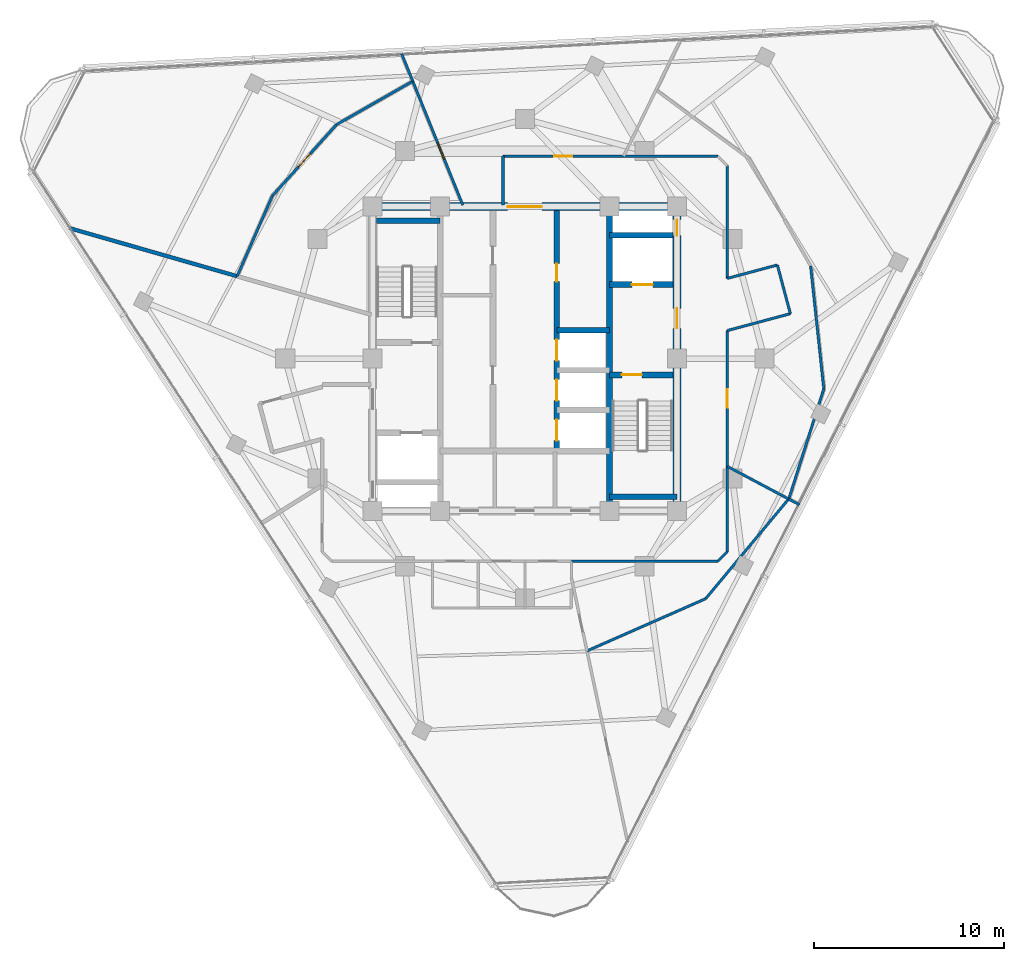
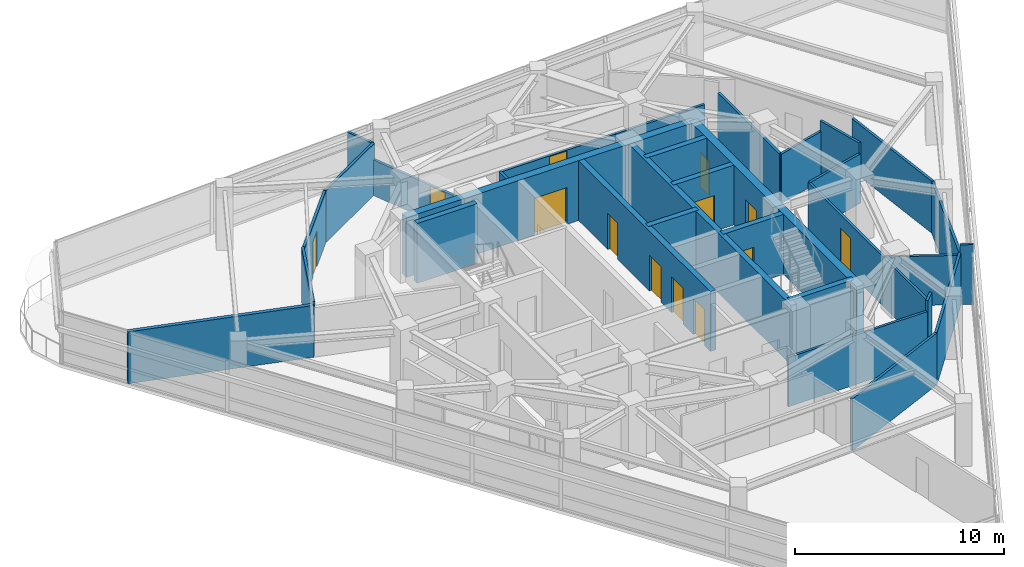
# One storey, part 9 of 15: 33 walls, 13 doors, 13 openings.
"""IFC4 building model written with IfcOpenShell, lengths in metres."""

from ifc_helpers import new_model, si_unit, direction, frame, frame_2d, origin, place, context, subcontext, project, spatial, rectangle, extrude, material, layer, layer_set, type_object, element, fill, save


model = new_model("IFC4")

# Units and contexts
model_context = context("Model", 3, precision=1e-05, world=origin(), true_north=direction((0.0, 1.0)))
body_context = subcontext(model_context, "Body", "Model", "MODEL_VIEW")
ifc_project = project(units=[si_unit("LENGTHUNIT", "METRE"), si_unit("AREAUNIT", "SQUARE_METRE"), si_unit("VOLUMEUNIT", "CUBIC_METRE"), si_unit("PLANEANGLEUNIT", "RADIAN"), si_unit("MASSUNIT", "GRAM", prefix="KILO")], contexts=[model_context])

# Site, building, storey
site_placement = place(None, origin())
site = spatial("IfcSite", under=ifc_project, at=site_placement, CompositionType="ELEMENT")
building_placement = place(site_placement, origin())
building = spatial("IfcBuilding", under=site, at=building_placement, Name="Terralouvre Media Tower", CompositionType="ELEMENT")
storey_placement = place(building_placement, frame((0.0, 0.0, 267.0)))
storey = spatial("IfcBuildingStorey", under=building, at=storey_placement, Name="L69", CompositionType="ELEMENT", Elevation=267.0)

# Walls
ifc_material_1 = material(Name="Concrete C50/60", Category="concrete")
ifc_layer_1 = layer(ifc_material_1, 0.300048828125, Name="Core Internal Shaft Wall CW-300")
ifc_layer_set_1 = layer_set([ifc_layer_1], Name="Concrete C50/60")
wall_type_1 = type_object("IfcWallType", Name="Core Internal Shaft Wall CW-300", PredefinedType="SHEAR", material=ifc_layer_set_1)
wall_1_placement = place(storey_placement, frame((4.449951171875, -7.7900390625, 0.0), z_axis=(0.0, 0.0, 1.0), x_axis=(0.0, 1.0, 0.0)))
element("IfcWall", 1, at=wall_1_placement, inside=storey, type_object=wall_type_1, Name="L69 Core Shaft Wall SPE", PredefinedType="SHEAR", context=body_context, shape_type="SweptSolid", body=[
    extrude(rectangle(XDim=15.580078125, YDim=0.300048828125, at=frame_2d((7.7900390625, 0.0))), origin(), (0.0, 0.0, 1.0), 3.5),
])
wall_2_placement = place(storey_placement, frame((-7.7900390625, 7.260009765625, 0.0), z_axis=(0.0, 0.0, 1.0), x_axis=(1.0, 0.0, 0.0)))
element("IfcWall", 2, at=wall_2_placement, inside=storey, type_object=wall_type_1, Name="L69 Core Shaft Wall ST1F", PredefinedType="SHEAR", context=body_context, shape_type="SweptSolid", body=[
    extrude(rectangle(XDim=3.340087890625, YDim=0.300048828125, at=frame_2d((1.669921875, 0.0))), origin(), (0.0, 0.0, 1.0), 3.5),
])

# Wall, opening, door
wall_3_placement = place(storey_placement, frame((4.449951171875, -0.85009765625, 0.0), z_axis=(0.0, 0.0, 1.0), x_axis=(1.0, 0.0, 0.0)))
wall_3 = element("IfcWall", 3, at=wall_3_placement, inside=storey, type_object=wall_type_1, Name="L69 Core Shaft Wall ST2D", PredefinedType="SHEAR", context=body_context, shape_type="SweptSolid", body=[
    extrude(rectangle(XDim=3.340087890625, YDim=0.300048828125, at=frame_2d((1.669921875, 0.0))), origin(), (0.0, 0.0, 1.0), 3.5),
])
opening_1_placement = place(wall_3_placement, frame((0.64990234375, 0.0, 0.0)))
opening_1 = element("IfcOpeningElement", 4, at=opening_1_placement, cuts=wall_3, Name="Opening FD-01-105X215", PredefinedType="OPENING", context=body_context, shape_type="SweptSolid", body=[
    extrude(rectangle(XDim=1.050048828125, YDim=2.14990234375, at=frame_2d((0.52490234375, 1.074951171875))), frame((0.0, 0.159912109375, 0.0), z_axis=(0.0, -1.0, 0.0), x_axis=(1.0, 0.0, 0.0)), (0.0, 0.0, 1.0), 0.320068359375),
])
ifc_material_2 = material(Name="Galvanised steel fire-resisting leaf", Category="steel")
door_type_1 = type_object("IfcDoorType", Name="Stair and Firefighting Lobby Fire Door FD-01 (1050x2150)", OperationType="NOTDEFINED", PredefinedType="DOOR", material=ifc_material_2)
door_1_placement = place(opening_1_placement, origin())
door_1 = element("IfcDoor", 5, at=door_1_placement, inside=storey, type_object=door_type_1, Name="L69 ST-02 Exit Stair Door", OperationType="SINGLE_SWING_RIGHT", OverallHeight=2.14990234375, OverallWidth=1.050048828125, PredefinedType="DOOR", context=body_context, shape_type="SweptSolid", body=[
    extrude(rectangle(XDim=1.050048828125, YDim=2.14990234375, at=frame_2d((0.52490234375, 1.074951171875))), frame((0.0, 0.02490234375, 0.0), z_axis=(0.0, -1.0, 0.0), x_axis=(1.0, 0.0, 0.0)), (0.0, 0.0, 1.0), 0.050048828125),
])
fill(opening_1, door_1)

# Wall
wall_4_placement = place(storey_placement, frame((4.449951171875, -7.260009765625, 0.0), z_axis=(0.0, 0.0, 1.0), x_axis=(1.0, 0.0, 0.0)))
element("IfcWall", 6, at=wall_4_placement, inside=storey, type_object=wall_type_1, Name="L69 Core Shaft Wall ST2F", PredefinedType="SHEAR", context=body_context, shape_type="SweptSolid", body=[
    extrude(rectangle(XDim=3.550048828125, YDim=0.300048828125, at=frame_2d((1.77490234375, 0.0))), origin(), (0.0, 0.0, 1.0), 3.5),
])

# Wall, opening, door
wall_5_placement = place(storey_placement, frame((4.449951171875, 3.89990234375, 0.0), z_axis=(0.0, 0.0, 1.0), x_axis=(1.0, 0.0, 0.0)))
wall_5 = element("IfcWall", 7, at=wall_5_placement, inside=storey, type_object=wall_type_1, Name="L69 Core Shaft Wall FF2S", PredefinedType="SHEAR", context=body_context, shape_type="SweptSolid", body=[
    extrude(rectangle(XDim=3.340087890625, YDim=0.300048828125, at=frame_2d((1.669921875, 0.0))), origin(), (0.0, 0.0, 1.0), 3.5),
])
opening_2_placement = place(wall_5_placement, frame((1.179931640625, 0.0, 0.0)))
opening_2 = element("IfcOpeningElement", 8, at=opening_2_placement, cuts=wall_5, Name="Opening LD-FF", PredefinedType="OPENING", context=body_context, shape_type="SweptSolid", body=[
    extrude(rectangle(XDim=1.10009765625, YDim=2.10009765625, at=frame_2d((0.550048828125, 1.050048828125))), frame((0.0, 0.159912109375, 0.0), z_axis=(0.0, -1.0, 0.0), x_axis=(1.0, 0.0, 0.0)), (0.0, 0.0, 1.0), 0.320068359375),
])
ifc_material_3 = material(Name="Stainless steel 316 handrail and balustrade", Category="steel")
door_type_2 = type_object("IfcDoorType", Name="Firefighting Lift Sliding Landing Door LD-FF", OperationType="SLIDING_TO_LEFT", PredefinedType="DOOR", material=ifc_material_3)
door_2_placement = place(opening_2_placement, origin())
door_2 = element("IfcDoor", 9, at=door_2_placement, inside=storey, type_object=door_type_2, Name="L69 Firefighting Lift FFL-02 Landing Door", OperationType="SLIDING_TO_LEFT", OverallHeight=2.10009765625, OverallWidth=1.10009765625, PredefinedType="DOOR", context=body_context, shape_type="SweptSolid", body=[
    extrude(rectangle(XDim=1.10009765625, YDim=2.10009765625, at=frame_2d((0.550048828125, 1.050048828125))), frame((0.0, 0.02490234375, 0.0), z_axis=(0.0, -1.0, 0.0), x_axis=(1.0, 0.0, 0.0)), (0.0, 0.0, 1.0), 0.050048828125),
])
fill(opening_2, door_2)

# Wall
wall_6_placement = place(storey_placement, frame((4.449951171875, 6.5, 0.0), z_axis=(0.0, 0.0, 1.0), x_axis=(1.0, 0.0, 0.0)))
element("IfcWall", 10, at=wall_6_placement, inside=storey, type_object=wall_type_1, Name="L69 Core Shaft Wall FF2N", PredefinedType="SHEAR", context=body_context, shape_type="SweptSolid", body=[
    extrude(rectangle(XDim=3.340087890625, YDim=0.300048828125, at=frame_2d((1.669921875, 0.0))), origin(), (0.0, 0.0, 1.0), 3.5),
])

# Wall, openings, doors
wall_7_placement = place(storey_placement, frame((1.679931640625, -4.85009765625, 0.0), z_axis=(0.0, 0.0, 1.0), x_axis=(0.0, 1.0, 0.0)))
wall_7 = element("IfcWall", 11, at=wall_7_placement, inside=storey, type_object=wall_type_1, Name="L69 Core Shaft Wall LBE", PredefinedType="SHEAR", context=body_context, shape_type="SweptSolid", body=[
    extrude(rectangle(XDim=12.64013671875, YDim=0.300048828125, at=frame_2d((6.320068359375, 0.0))), origin(), (0.0, 0.0, 1.0), 3.5),
])
opening_3_placement = place(wall_7_placement, frame((0.550048828125, 0.0, 0.0)))
opening_3 = element("IfcOpeningElement", 12, at=opening_3_placement, cuts=wall_7, Name="Opening LD-PL", PredefinedType="OPENING", context=body_context, shape_type="SweptSolid", body=[
    extrude(rectangle(XDim=1.10009765625, YDim=2.10009765625, at=frame_2d((0.550048828125, 1.050048828125))), frame((0.0, 0.159912109375, 0.0), z_axis=(0.0, -1.0, 0.0), x_axis=(1.0, 0.0, 0.0)), (0.0, 0.0, 1.0), 0.320068359375),
])
opening_4_placement = place(wall_7_placement, frame((2.64990234375, 0.0, 0.0)))
opening_4 = element("IfcOpeningElement", 13, at=opening_4_placement, cuts=wall_7, Name="Opening LD-PL", PredefinedType="OPENING", context=body_context, shape_type="SweptSolid", body=[
    extrude(rectangle(XDim=1.10009765625, YDim=2.10009765625, at=frame_2d((0.550048828125, 1.050048828125))), frame((0.0, 0.159912109375, 0.0), z_axis=(0.0, -1.0, 0.0), x_axis=(1.0, 0.0, 0.0)), (0.0, 0.0, 1.0), 0.320068359375),
])
opening_5_placement = place(wall_7_placement, frame((4.75, 0.0, 0.0)))
opening_5 = element("IfcOpeningElement", 14, at=opening_5_placement, cuts=wall_7, Name="Opening LD-PL", PredefinedType="OPENING", context=body_context, shape_type="SweptSolid", body=[
    extrude(rectangle(XDim=1.10009765625, YDim=2.10009765625, at=frame_2d((0.550048828125, 1.050048828125))), frame((0.0, 0.159912109375, 0.0), z_axis=(0.0, -1.0, 0.0), x_axis=(1.0, 0.0, 0.0)), (0.0, 0.0, 1.0), 0.320068359375),
])
opening_6_placement = place(wall_7_placement, frame((8.89990234375, 0.0, 0.0)))
opening_6 = element("IfcOpeningElement", 15, at=opening_6_placement, cuts=wall_7, Name="Opening FD-02-95X210", PredefinedType="OPENING", context=body_context, shape_type="SweptSolid", body=[
    extrude(rectangle(XDim=0.949951171875, YDim=2.10009765625, at=frame_2d((0.47509765625, 1.050048828125))), frame((0.0, 0.159912109375, 0.0), z_axis=(0.0, -1.0, 0.0), x_axis=(1.0, 0.0, 0.0)), (0.0, 0.0, 1.0), 0.320068359375),
])
ifc_material_4 = material(Name="Stainless steel 316 handrail and balustrade", Category="steel")
door_type_3 = type_object("IfcDoorType", Name="Passenger Lift Sliding Landing Door LD-PL", OperationType="SLIDING_TO_LEFT", PredefinedType="DOOR", material=ifc_material_4)
door_3_placement = place(opening_3_placement, origin())
door_3 = element("IfcDoor", 16, at=door_3_placement, inside=storey, type_object=door_type_3, Name="L69 High-Rise Lift PL-H1 Landing Door", OperationType="SLIDING_TO_LEFT", OverallHeight=2.10009765625, OverallWidth=1.10009765625, PredefinedType="DOOR", context=body_context, shape_type="SweptSolid", body=[
    extrude(rectangle(XDim=1.10009765625, YDim=2.10009765625, at=frame_2d((0.550048828125, 1.050048828125))), frame((0.0, 0.02490234375, 0.0), z_axis=(0.0, -1.0, 0.0), x_axis=(1.0, 0.0, 0.0)), (0.0, 0.0, 1.0), 0.050048828125),
])
fill(opening_3, door_3)
door_4_placement = place(opening_4_placement, origin())
door_4 = element("IfcDoor", 17, at=door_4_placement, inside=storey, type_object=door_type_3, Name="L69 High-Rise Lift PL-H2 Landing Door", OperationType="SLIDING_TO_LEFT", OverallHeight=2.10009765625, OverallWidth=1.10009765625, PredefinedType="DOOR", context=body_context, shape_type="SweptSolid", body=[
    extrude(rectangle(XDim=1.10009765625, YDim=2.10009765625, at=frame_2d((0.550048828125, 1.050048828125))), frame((0.0, 0.02490234375, 0.0), z_axis=(0.0, -1.0, 0.0), x_axis=(1.0, 0.0, 0.0)), (0.0, 0.0, 1.0), 0.050048828125),
])
fill(opening_4, door_4)
door_5_placement = place(opening_5_placement, origin())
door_5 = element("IfcDoor", 18, at=door_5_placement, inside=storey, type_object=door_type_3, Name="L69 High-Rise Lift PL-H3 Landing Door", OperationType="SLIDING_TO_LEFT", OverallHeight=2.10009765625, OverallWidth=1.10009765625, PredefinedType="DOOR", context=body_context, shape_type="SweptSolid", body=[
    extrude(rectangle(XDim=1.10009765625, YDim=2.10009765625, at=frame_2d((0.550048828125, 1.050048828125))), frame((0.0, 0.02490234375, 0.0), z_axis=(0.0, -1.0, 0.0), x_axis=(1.0, 0.0, 0.0)), (0.0, 0.0, 1.0), 0.050048828125),
])
fill(opening_5, door_5)
ifc_material_5 = material(Name="Galvanised steel fire-resisting leaf", Category="steel")
door_type_4 = type_object("IfcDoorType", Name="Plant and Riser Fire Door FD-02 (950x2100)", OperationType="NOTDEFINED", PredefinedType="DOOR", material=ifc_material_5)
door_6_placement = place(opening_6_placement, origin())
door_6 = element("IfcDoor", 19, at=door_6_placement, inside=storey, type_object=door_type_4, Name="L69 Core AHU Sub-Plant Door", OperationType="SINGLE_SWING_LEFT", OverallHeight=2.10009765625, OverallWidth=0.949951171875, PredefinedType="DOOR", context=body_context, shape_type="SweptSolid", body=[
    extrude(rectangle(XDim=0.949951171875, YDim=2.10009765625, at=frame_2d((0.47509765625, 1.050048828125))), frame((0.0, 0.02490234375, 0.0), z_axis=(0.0, -1.0, 0.0), x_axis=(1.0, 0.0, 0.0)), (0.0, 0.0, 1.0), 0.050048828125),
])
fill(opening_6, door_6)

# Wall
wall_8_placement = place(storey_placement, frame((1.679931640625, 1.5, 0.0), z_axis=(0.0, 0.0, 1.0), x_axis=(1.0, 0.0, 0.0)))
element("IfcWall", 20, at=wall_8_placement, inside=storey, type_object=wall_type_1, Name="L69 Core Shaft Wall PLMBOT", PredefinedType="SHEAR", context=body_context, shape_type="SweptSolid", body=[
    extrude(rectangle(XDim=2.77001953125, YDim=0.300048828125, at=frame_2d((1.385009765625, 0.0))), origin(), (0.0, 0.0, 1.0), 3.5),
])

# Wall, openings, doors
ifc_material_6 = material(Name="Concrete C60/75", Category="concrete")
ifc_layer_2 = layer(ifc_material_6, 0.419921875, Name="Core Reinforced Concrete Shear Wall CW-420")
ifc_layer_set_2 = layer_set([ifc_layer_2], Name="Concrete C60/75")
wall_type_2 = type_object("IfcWallType", Name="Core Reinforced Concrete Shear Wall CW-420", PredefinedType="SHEAR", material=ifc_layer_set_2)
wall_9_placement = place(storey_placement, frame((8.0, -8.0, 0.0), z_axis=(0.0, 0.0, 1.0), x_axis=(0.0, 1.0, 0.0)))
wall_9 = element("IfcWall", 21, at=wall_9_placement, inside=storey, type_object=wall_type_2, Name="L69 E Core Shear Wall", PredefinedType="SHEAR", context=body_context, shape_type="SweptSolid", body=[
    extrude(rectangle(XDim=16.0, YDim=0.419921875, at=frame_2d((8.0, 0.0))), origin(), (0.0, 0.0, 1.0), 3.5),
])
opening_7_placement = place(wall_9_placement, frame((9.60009765625, 0.0, 0.0)))
opening_7 = element("IfcOpeningElement", 22, at=opening_7_placement, cuts=wall_9, Name="Opening FD-01-105X215", PredefinedType="OPENING", context=body_context, shape_type="SweptSolid", body=[
    extrude(rectangle(XDim=1.050048828125, YDim=2.14990234375, at=frame_2d((0.52490234375, 1.074951171875))), frame((0.0, 0.219970703125, 0.0), z_axis=(0.0, -1.0, 0.0), x_axis=(1.0, 0.0, 0.0)), (0.0, 0.0, 1.0), 0.43994140625),
])
opening_8_placement = place(wall_9_placement, frame((14.468994140625, 0.0, 0.0)))
opening_8 = element("IfcOpeningElement", 23, at=opening_8_placement, cuts=wall_9, Name="Opening TD-R1", PredefinedType="OPENING", context=body_context, shape_type="SweptSolid", body=[
    extrude(rectangle(XDim=0.85009765625, YDim=2.02001953125, at=frame_2d((0.425048828125, 1.010009765625))), frame((0.0, 0.219970703125, 0.0), z_axis=(0.0, -1.0, 0.0), x_axis=(1.0, 0.0, 0.0)), (0.0, 0.0, 1.0), 0.43994140625),
])
ifc_material_7 = material(Name="Galvanised steel fire-resisting leaf", Category="steel")
door_type_5 = type_object("IfcDoorType", Name="Riser Inspection Access Trapdoor TD-R1", OperationType="NOTDEFINED", PredefinedType="TRAPDOOR", material=ifc_material_7)
door_7_placement = place(opening_8_placement, origin())
door_7 = element("IfcDoor", 24, at=door_7_placement, inside=storey, type_object=door_type_5, Name="L69 East Comms Riser Access Trapdoor", OperationType="SINGLE_SWING_RIGHT", OverallHeight=2.02001953125, OverallWidth=0.85009765625, PredefinedType="TRAPDOOR", context=body_context, shape_type="SweptSolid", body=[
    extrude(rectangle(XDim=0.85009765625, YDim=2.02001953125, at=frame_2d((0.425048828125, 1.010009765625))), frame((0.0, 0.02490234375, 0.0), z_axis=(0.0, -1.0, 0.0), x_axis=(1.0, 0.0, 0.0)), (0.0, 0.0, 1.0), 0.050048828125),
])
fill(opening_8, door_7)
door_8_placement = place(opening_7_placement, origin())
door_8 = element("IfcDoor", 25, at=door_8_placement, inside=storey, type_object=door_type_1, Name="L69 East Firefighting Lobby Entry Door", OperationType="SINGLE_SWING_LEFT", OverallHeight=2.14990234375, OverallWidth=1.050048828125, PredefinedType="DOOR", context=body_context, shape_type="SweptSolid", body=[
    extrude(rectangle(XDim=1.050048828125, YDim=2.14990234375, at=frame_2d((0.52490234375, 1.074951171875))), frame((0.0, 0.02490234375, 0.0), z_axis=(0.0, -1.0, 0.0), x_axis=(1.0, 0.0, 0.0)), (0.0, 0.0, 1.0), 0.050048828125),
])
fill(opening_7, door_8)

# Wall, opening, door
wall_10_placement = place(storey_placement, frame((-8.0, 8.0, 0.0), z_axis=(0.0, 0.0, 1.0), x_axis=(1.0, 0.0, 0.0)))
wall_10 = element("IfcWall", 26, at=wall_10_placement, inside=storey, type_object=wall_type_2, Name="L69 N Core Shear Wall", PredefinedType="SHEAR", context=body_context, shape_type="SweptSolid", body=[
    extrude(rectangle(XDim=16.0, YDim=0.419921875, at=frame_2d((8.0, 0.0))), origin(), (0.0, 0.0, 1.0), 3.5),
])
opening_9_placement = place(wall_10_placement, frame((7.10009765625, 0.0, 0.0)))
opening_9 = element("IfcOpeningElement", 27, at=opening_9_placement, cuts=wall_10, Name="Opening FD-03", PredefinedType="OPENING", context=body_context, shape_type="SweptSolid", body=[
    extrude(rectangle(XDim=1.800048828125, YDim=2.14990234375, at=frame_2d((0.89990234375, 1.074951171875))), frame((0.0, 0.219970703125, 0.0), z_axis=(0.0, -1.0, 0.0), x_axis=(1.0, 0.0, 0.0)), (0.0, 0.0, 1.0), 0.43994140625),
])
ifc_material_8 = material(Name="Galvanised steel fire-resisting leaf", Category="steel")
door_type_6 = type_object("IfcDoorType", Name="Corridor Smoke-Control Double Door FD-03", OperationType="DOUBLE_DOOR_SINGLE_SWING", PredefinedType="DOOR", material=ifc_material_8)
door_9_placement = place(opening_9_placement, origin())
door_9 = element("IfcDoor", 28, at=door_9_placement, inside=storey, type_object=door_type_6, Name="L69 Central Lift Lobby Portal Door", OperationType="DOUBLE_DOOR_SINGLE_SWING", OverallHeight=2.14990234375, OverallWidth=1.800048828125, PredefinedType="DOOR", context=body_context, shape_type="SweptSolid", body=[
    extrude(rectangle(XDim=1.800048828125, YDim=2.14990234375, at=frame_2d((0.89990234375, 1.074951171875))), frame((0.0, 0.02490234375, 0.0), z_axis=(0.0, -1.0, 0.0), x_axis=(1.0, 0.0, 0.0)), (0.0, 0.0, 1.0), 0.050048828125),
])
fill(opening_9, door_9)

# Wall
ifc_material_9 = material(Name="Fire-rated gypsum board drywall partition")
ifc_layer_3 = layer(ifc_material_9, 0.199951171875, Name="Fire-Rated Shaft and Lobby Partition FW-200")
ifc_layer_set_3 = layer_set([ifc_layer_3], Name="Fire-rated gypsum board drywall partition")
wall_type_3 = type_object("IfcWallType", Name="Fire-Rated Shaft and Lobby Partition FW-200", PredefinedType="SOLIDWALL", material=ifc_layer_set_3)
wall_11_placement = place(storey_placement, frame((-15.12890625, 4.337890625, 0.0), z_axis=(0.0, 0.0, 1.0), x_axis=(-0.96123865256, 0.275717704953, 0.0)))
element("IfcWall", 29, at=wall_11_placement, inside=storey, type_object=wall_type_3, Name="L69 Interior Partition 026", PredefinedType="SOLIDWALL", context=body_context, shape_type="SweptSolid", body=[
    extrude(rectangle(XDim=9.187744140625, YDim=0.199951171875, at=frame_2d((4.59375, 0.0))), origin(), (0.0, 0.0, 1.0), 3.034912109375),
])

# Wall, opening, door
ifc_material_10 = material(Name="Fire-rated gypsum board drywall partition")
ifc_layer_4 = layer(ifc_material_10, 0.135009765625, Name="Newsroom Acoustic Partition PT-135")
ifc_layer_set_4 = layer_set([ifc_layer_4], Name="Fire-rated gypsum board drywall partition")
wall_type_4 = type_object("IfcWallType", Name="Newsroom Acoustic Partition PT-135", PredefinedType="PARTITIONING", material=ifc_layer_set_4)
wall_12_placement = place(storey_placement, frame((10.64990234375, -5.6630859375, 0.0), z_axis=(0.0, 0.0, 1.0), x_axis=(0.0, 1.0, 0.0)))
wall_12 = element("IfcWall", 30, at=wall_12_placement, inside=storey, type_object=wall_type_4, Name="L69 Interior Partition 006", PredefinedType="PARTITIONING", context=body_context, shape_type="SweptSolid", body=[
    extrude(rectangle(XDim=7.14501953125, YDim=0.135009765625, at=frame_2d((3.572509765625, 0.0))), origin(), (0.0, 0.0, 1.0), 2.885009765625),
])
opening_10_placement = place(wall_12_placement, frame((3.097412109375, 0.0, 0.0)))
opening_10 = element("IfcOpeningElement", 31, at=opening_10_placement, cuts=wall_12, Name="Opening ID-02-95X210", PredefinedType="OPENING", context=body_context, shape_type="SweptSolid", body=[
    extrude(rectangle(XDim=0.949951171875, YDim=2.10009765625, at=frame_2d((0.47509765625, 1.050048828125))), frame((0.0, 0.077392578125, 0.0), z_axis=(0.0, -1.0, 0.0), x_axis=(1.0, 0.0, 0.0)), (0.0, 0.0, 1.0), 0.155029296875),
])
ifc_material_11 = material(Name="Engineered hardwood acoustic timber leaf", Category="wood")
door_type_7 = type_object("IfcDoorType", Name="Office and Meeting Room Door ID-02 (950x2100)", OperationType="NOTDEFINED", PredefinedType="DOOR", material=ifc_material_11)
door_10_placement = place(opening_10_placement, origin())
door_10 = element("IfcDoor", 32, at=door_10_placement, inside=storey, type_object=door_type_7, Name="L69 Wire Copy Workspace 2 Door", OperationType="SINGLE_SWING_LEFT", OverallHeight=2.10009765625, OverallWidth=0.949951171875, PredefinedType="DOOR", context=body_context, shape_type="SweptSolid", body=[
    extrude(rectangle(XDim=0.949951171875, YDim=2.10009765625, at=frame_2d((0.47509765625, 1.050048828125))), frame((0.0, 0.02490234375, 0.0), z_axis=(0.0, -1.0, 0.0), x_axis=(1.0, 0.0, 0.0)), (0.0, 0.0, 1.0), 0.050048828125),
])
fill(opening_10, door_10)

# Walls
wall_13_placement = place(storey_placement, frame((10.64990234375, 1.48193359375, 0.0), z_axis=(0.0, 0.0, 1.0), x_axis=(0.965961397105, 0.2586862565, 0.0)))
element("IfcWall", 33, at=wall_13_placement, inside=storey, type_object=wall_type_4, Name="L69 Interior Partition 007", PredefinedType="PARTITIONING", context=body_context, shape_type="SweptSolid", body=[
    extrude(rectangle(XDim=3.4287109375, YDim=0.135009765625, at=frame_2d((1.71435546875, 0.0))), origin(), (0.0, 0.0, 1.0), 2.885009765625),
])
wall_14_placement = place(storey_placement, frame((13.9619140625, 2.368896484375, 0.0), z_axis=(0.0, 0.0, 1.0), x_axis=(-0.258413725385, 0.966034340245, 0.0)))
element("IfcWall", 34, at=wall_14_placement, inside=storey, type_object=wall_type_4, Name="L69 Interior Partition 008", PredefinedType="PARTITIONING", context=body_context, shape_type="SweptSolid", body=[
    extrude(rectangle(XDim=2.650146484375, YDim=0.135009765625, at=frame_2d((1.3251953125, 0.0))), origin(), (0.0, 0.0, 1.0), 3.5),
])
wall_15_placement = place(storey_placement, frame((13.277099609375, 4.928955078125, 0.0), z_axis=(0.0, 0.0, 1.0), x_axis=(-0.965934830229, -0.258785439601, 0.0)))
element("IfcWall", 35, at=wall_15_placement, inside=storey, type_object=wall_type_4, Name="L69 Interior Partition 009", PredefinedType="PARTITIONING", context=body_context, shape_type="SweptSolid", body=[
    extrude(rectangle(XDim=2.719970703125, YDim=0.135009765625, at=frame_2d((1.35986328125, 0.0))), origin(), (0.0, 0.0, 1.0), 2.885009765625),
])
wall_16_placement = place(storey_placement, frame((10.64990234375, 4.22509765625, 0.0), z_axis=(0.0, 0.0, 1.0), x_axis=(0.0, 1.0, 0.0)))
element("IfcWall", 36, at=wall_16_placement, inside=storey, type_object=wall_type_4, Name="L69 Interior Partition 010", PredefinedType="PARTITIONING", context=body_context, shape_type="SweptSolid", body=[
    extrude(rectangle(XDim=5.9248046875, YDim=0.135009765625, at=frame_2d((2.96240234375, 0.0))), origin(), (0.0, 0.0, 1.0), 2.885009765625),
])
wall_17_placement = place(storey_placement, frame((10.14990234375, 10.64990234375, 0.0), z_axis=(0.0, 0.0, 1.0), x_axis=(-1.0, 0.0, 0.0)))
element("IfcWall", 37, at=wall_17_placement, inside=storey, type_object=wall_type_4, Name="L69 Interior Partition 012", PredefinedType="PARTITIONING", context=body_context, shape_type="SweptSolid", body=[
    extrude(rectangle(XDim=4.955810546875, YDim=0.135009765625, at=frame_2d((2.47802734375, 0.0))), origin(), (0.0, 0.0, 1.0), 2.0849609375),
])
wall_18_placement = place(storey_placement, frame((2.449951171875, -10.64990234375, 0.0), z_axis=(0.0, 0.0, 1.0), x_axis=(1.0, 0.0, 0.0)))
element("IfcWall", 38, at=wall_18_placement, inside=storey, type_object=wall_type_4, Name="L69 Interior Partition 019", PredefinedType="PARTITIONING", context=body_context, shape_type="SweptSolid", body=[
    extrude(rectangle(XDim=7.699951171875, YDim=0.135009765625, at=frame_2d((3.85009765625, 0.0))), origin(), (0.0, 0.0, 1.0), 2.885009765625),
])
wall_19_placement = place(storey_placement, frame((10.14990234375, -10.64990234375, 0.0), z_axis=(0.0, 0.0, 1.0), x_axis=(0.707106781187, 0.707106781187, 0.0)))
element("IfcWall", 39, at=wall_19_placement, inside=storey, type_object=wall_type_4, Name="L69 Interior Partition 020", PredefinedType="PARTITIONING", context=body_context, shape_type="SweptSolid", body=[
    extrude(rectangle(XDim=0.70703125, YDim=0.135009765625, at=frame_2d((0.353515625, 0.0))), origin(), (0.0, 0.0, 1.0), 3.5),
])
wall_20_placement = place(storey_placement, frame((10.64990234375, -10.14990234375, 0.0), z_axis=(0.0, 0.0, 1.0), x_axis=(0.0, 1.0, 0.0)))
element("IfcWall", 40, at=wall_20_placement, inside=storey, type_object=wall_type_4, Name="L69 Interior Partition 021", PredefinedType="PARTITIONING", context=body_context, shape_type="SweptSolid", body=[
    extrude(rectangle(XDim=4.48681640625, YDim=0.135009765625, at=frame_2d((2.243408203125, 0.0))), origin(), (0.0, 0.0, 1.0), 2.885009765625),
])

# Wall, opening, door
wall_21_placement = place(storey_placement, frame((5.194091796875, 10.64990234375, 0.0), z_axis=(0.0, 0.0, 1.0), x_axis=(-1.0, 0.0, 0.0)))
wall_21 = element("IfcWall", 41, at=wall_21_placement, inside=storey, type_object=wall_type_4, Name="L69 Interior Partition 022", PredefinedType="PARTITIONING", context=body_context, shape_type="SweptSolid", body=[
    extrude(rectangle(XDim=6.343994140625, YDim=0.135009765625, at=frame_2d((3.171875, 0.0))), origin(), (0.0, 0.0, 1.0), 2.0849609375),
])
opening_11_placement = place(wall_21_placement, frame((2.697021484375, 0.0, 0.0)))
opening_11 = element("IfcOpeningElement", 42, at=opening_11_placement, cuts=wall_21, Name="Opening ID-02-95X206", PredefinedType="OPENING", context=body_context, shape_type="SweptSolid", body=[
    extrude(rectangle(XDim=0.949951171875, YDim=2.034912109375, at=frame_2d((0.47509765625, 1.017578125))), frame((0.0, 0.077392578125, 0.0), z_axis=(0.0, -1.0, 0.0), x_axis=(1.0, 0.0, 0.0)), (0.0, 0.0, 1.0), 0.155029296875),
])
ifc_material_12 = material(Name="Engineered hardwood acoustic timber leaf", Category="wood")
door_type_8 = type_object("IfcDoorType", Name="Office and Meeting Room Door ID-02 (950x2065)", OperationType="NOTDEFINED", PredefinedType="DOOR", material=ifc_material_12)
door_11_placement = place(opening_11_placement, origin())
door_11 = element("IfcDoor", 43, at=door_11_placement, inside=storey, type_object=door_type_8, Name="L69 Assignment Editors Workspace 7 Door", OperationType="SINGLE_SWING_RIGHT", OverallHeight=2.034912109375, OverallWidth=0.949951171875, PredefinedType="DOOR", context=body_context, shape_type="SweptSolid", body=[
    extrude(rectangle(XDim=0.949951171875, YDim=2.034912109375, at=frame_2d((0.47509765625, 1.017578125))), frame((0.0, 0.02490234375, 0.0), z_axis=(0.0, -1.0, 0.0), x_axis=(1.0, 0.0, 0.0)), (0.0, 0.0, 1.0), 0.050048828125),
])
fill(opening_11, door_11)

# Walls
wall_22_placement = place(storey_placement, frame((-1.14990234375, 10.64990234375, 0.0), z_axis=(0.0, 0.0, 1.0), x_axis=(0.0, -1.0, 0.0)))
element("IfcWall", 44, at=wall_22_placement, inside=storey, type_object=wall_type_4, Name="L69 Interior Partition 023", PredefinedType="PARTITIONING", context=body_context, shape_type="SweptSolid", body=[
    extrude(rectangle(XDim=2.56982421875, YDim=0.135009765625, at=frame_2d((1.284912109375, 0.0))), origin(), (0.0, 0.0, 1.0), 2.0849609375),
])
wall_23_placement = place(storey_placement, frame((10.64990234375, -5.6630859375, 0.0), z_axis=(0.0, 0.0, 1.0), x_axis=(0.882982204984, -0.469406461057, 0.0)))
element("IfcWall", 45, at=wall_23_placement, inside=storey, type_object=wall_type_4, Name="L69 Interior Partition 027", PredefinedType="PARTITIONING", context=body_context, shape_type="SweptSolid", body=[
    extrude(rectangle(XDim=3.64697265625, YDim=0.135009765625, at=frame_2d((1.823486328125, 0.0))), origin(), (0.0, 0.0, 1.0), 2.885009765625),
])
wall_24_placement = place(storey_placement, frame((13.886962890625, -7.35400390625, 0.0), z_axis=(0.0, 0.0, 1.0), x_axis=(0.302867480059, 0.953032680197, 0.0)))
element("IfcWall", 46, at=wall_24_placement, inside=storey, type_object=wall_type_4, Name="L69 Interior Partition 028", PredefinedType="PARTITIONING", context=body_context, shape_type="SweptSolid", body=[
    extrude(rectangle(XDim=6.055419921875, YDim=0.135009765625, at=frame_2d((3.02783203125, 0.0))), origin(), (0.0, 0.0, 1.0), 3.034912109375),
])
wall_25_placement = place(storey_placement, frame((15.720947265625, -1.5830078125, 0.0), z_axis=(0.0, 0.0, 1.0), x_axis=(-0.106709447524, 0.994290246261, 0.0)))
element("IfcWall", 47, at=wall_25_placement, inside=storey, type_object=wall_type_4, Name="L69 Interior Partition 029", PredefinedType="PARTITIONING", context=body_context, shape_type="SweptSolid", body=[
    extrude(rectangle(XDim=6.502197265625, YDim=0.135009765625, at=frame_2d((3.2509765625, 0.0))), origin(), (0.0, 0.0, 1.0), 3.034912109375),
])
wall_26_placement = place(storey_placement, frame((13.8701171875, -7.375, 0.0), z_axis=(0.0, 0.0, 1.0), x_axis=(-0.63949044568, -0.768799043888, 0.0)))
element("IfcWall", 48, at=wall_26_placement, inside=storey, type_object=wall_type_4, Name="L69 Interior Partition 043", PredefinedType="PARTITIONING", context=body_context, shape_type="SweptSolid", body=[
    extrude(rectangle(XDim=6.819580078125, YDim=0.135009765625, at=frame_2d((3.40966796875, 0.0))), origin(), (0.0, 0.0, 1.0), 3.034912109375),
])
wall_27_placement = place(storey_placement, frame((9.509033203125, -12.617919921875, 0.0), z_axis=(0.0, 0.0, 1.0), x_axis=(-0.915305003879, -0.402761405641, 0.0)))
element("IfcWall", 49, at=wall_27_placement, inside=storey, type_object=wall_type_4, Name="L69 Interior Partition 044", PredefinedType="PARTITIONING", context=body_context, shape_type="SweptSolid", body=[
    extrude(rectangle(XDim=6.820556640625, YDim=0.135009765625, at=frame_2d((3.41015625, 0.0))), origin(), (0.0, 0.0, 1.0), 3.034912109375),
])
wall_28_placement = place(storey_placement, frame((14.44091796875, -7.677978515625, 0.0), z_axis=(0.0, 0.0, 1.0), x_axis=(-0.883423592085, 0.468575241501, 0.0)))
element("IfcWall", 50, at=wall_28_placement, inside=storey, type_object=wall_type_4, Name="L69 Interior Partition 045", PredefinedType="PARTITIONING", context=body_context, shape_type="SweptSolid", body=[
    extrude(rectangle(XDim=0.63623046875, YDim=0.135009765625, at=frame_2d((0.318115234375, 0.0))), origin(), (0.0, 0.0, 1.0), 3.5),
])

# Wall, opening, door
wall_29_placement = place(storey_placement, frame((-5.89599609375, 14.593017578125, 0.0), z_axis=(0.0, 0.0, 1.0), x_axis=(0.374630268076, -0.927174289032, 0.0)))
wall_29 = element("IfcWall", 51, at=wall_29_placement, inside=storey, type_object=wall_type_4, Name="L69 Interior Partition 047", PredefinedType="PARTITIONING", context=body_context, shape_type="SweptSolid", body=[
    extrude(rectangle(XDim=7.0244140625, YDim=0.135009765625, at=frame_2d((3.51220703125, 0.0))), origin(), (0.0, 0.0, 1.0), 2.0849609375),
])
opening_12_placement = place(wall_29_placement, frame((3.5, 0.0, 0.0)))
opening_12 = element("IfcOpeningElement", 52, at=opening_12_placement, cuts=wall_29, Name="Opening ID-03-92X206", PredefinedType="OPENING", context=body_context, shape_type="SweptSolid", body=[
    extrude(rectangle(XDim=0.919921875, YDim=2.034912109375, at=frame_2d((0.4599609375, 1.017578125))), frame((0.0, 0.077392578125, 0.0), z_axis=(0.0, -1.0, 0.0), x_axis=(1.0, 0.0, 0.0)), (0.0, 0.0, 1.0), 0.155029296875),
])
ifc_material_13 = material(Name="Engineered hardwood acoustic timber leaf", Category="wood")
door_type_9 = type_object("IfcDoorType", Name="Accessible Restroom and Suite Door ID-03 (920x2065)", OperationType="NOTDEFINED", PredefinedType="DOOR", material=ifc_material_13)
door_12_placement = place(opening_12_placement, origin())
door_12 = element("IfcDoor", 53, at=door_12_placement, inside=storey, type_object=door_type_9, Name="L69 Foreign Copy Desk Office 8 Door", OperationType="SINGLE_SWING_RIGHT", OverallHeight=2.034912109375, OverallWidth=0.919921875, PredefinedType="DOOR", context=body_context, shape_type="SweptSolid", body=[
    extrude(rectangle(XDim=0.919921875, YDim=2.034912109375, at=frame_2d((0.4599609375, 1.017578125))), frame((0.0, 0.02490234375, 0.0), z_axis=(0.0, -1.0, 0.0), x_axis=(1.0, 0.0, 0.0)), (0.0, 0.0, 1.0), 0.050048828125),
])
fill(opening_12, door_12)

# Walls
wall_30_placement = place(storey_placement, frame((-6.47900390625, 16.035400390625, 0.0), z_axis=(0.0, 0.0, 1.0), x_axis=(0.374743256905, -0.927128627217, 0.0)))
element("IfcWall", 54, at=wall_30_placement, inside=storey, type_object=wall_type_4, Name="L69 Interior Partition 048", PredefinedType="PARTITIONING", context=body_context, shape_type="SweptSolid", body=[
    extrude(rectangle(XDim=1.5556640625, YDim=0.135009765625, at=frame_2d((0.77783203125, 0.0))), origin(), (0.0, 0.0, 1.0), 3.02490234375),
])
wall_31_placement = place(storey_placement, frame((-5.89599609375, 14.593017578125, 0.0), z_axis=(0.0, 0.0, 1.0), x_axis=(-0.868954887981, -0.494891303877, 0.0)))
element("IfcWall", 55, at=wall_31_placement, inside=storey, type_object=wall_type_4, Name="L69 Interior Partition 049", PredefinedType="PARTITIONING", context=body_context, shape_type="SweptSolid", body=[
    extrude(rectangle(XDim=4.616943359375, YDim=0.135009765625, at=frame_2d((2.30859375, 0.0))), origin(), (0.0, 0.0, 1.0), 3.034912109375),
])

# Wall, opening, door
wall_32_placement = place(storey_placement, frame((-9.907958984375, 12.30810546875, 0.0), z_axis=(0.0, 0.0, 1.0), x_axis=(-0.669055831343, -0.743212146393, 0.0)))
wall_32 = element("IfcWall", 56, at=wall_32_placement, inside=storey, type_object=wall_type_4, Name="L69 Interior Partition 050", PredefinedType="PARTITIONING", context=body_context, shape_type="SweptSolid", body=[
    extrude(rectangle(XDim=5.033935546875, YDim=0.135009765625, at=frame_2d((2.51708984375, 0.0))), origin(), (0.0, 0.0, 1.0), 3.034912109375),
])
opening_13_placement = place(wall_32_placement, frame((2.056884765625, 0.0, 0.0)))
opening_13 = element("IfcOpeningElement", 57, at=opening_13_placement, cuts=wall_32, Name="Opening ID-03-92X210", PredefinedType="OPENING", context=body_context, shape_type="SweptSolid", body=[
    extrude(rectangle(XDim=0.919921875, YDim=2.10009765625, at=frame_2d((0.4599609375, 1.050048828125))), frame((0.0, 0.077392578125, 0.0), z_axis=(0.0, -1.0, 0.0), x_axis=(1.0, 0.0, 0.0)), (0.0, 0.0, 1.0), 0.155029296875),
])
ifc_material_14 = material(Name="Engineered hardwood acoustic timber leaf", Category="wood")
door_type_10 = type_object("IfcDoorType", Name="Accessible Restroom and Suite Door ID-03 (920x2100)", OperationType="NOTDEFINED", PredefinedType="DOOR", material=ifc_material_14)
door_13_placement = place(opening_13_placement, origin())
door_13 = element("IfcDoor", 58, at=door_13_placement, inside=storey, type_object=door_type_10, Name="L69 Morning Rundown Briefing Room 9 Door", OperationType="SINGLE_SWING_LEFT", OverallHeight=2.10009765625, OverallWidth=0.919921875, PredefinedType="DOOR", context=body_context, shape_type="SweptSolid", body=[
    extrude(rectangle(XDim=0.919921875, YDim=2.10009765625, at=frame_2d((0.4599609375, 1.050048828125))), frame((0.0, 0.02490234375, 0.0), z_axis=(0.0, -1.0, 0.0), x_axis=(1.0, 0.0, 0.0)), (0.0, 0.0, 1.0), 0.050048828125),
])
fill(opening_13, door_13)

# Wall
wall_33_placement = place(storey_placement, frame((-13.27587890625, 8.56689453125, 0.0), z_axis=(0.0, 0.0, 1.0), x_axis=(-0.401334709075, -0.915931466482, 0.0)))
element("IfcWall", 59, at=wall_33_placement, inside=storey, type_object=wall_type_4, Name="L69 Interior Partition 051", PredefinedType="PARTITIONING", context=body_context, shape_type="SweptSolid", body=[
    extrude(rectangle(XDim=4.6171875, YDim=0.135009765625, at=frame_2d((2.30859375, 0.0))), origin(), (0.0, 0.0, 1.0), 3.18505859375),
])

save(model, "model.ifc")
